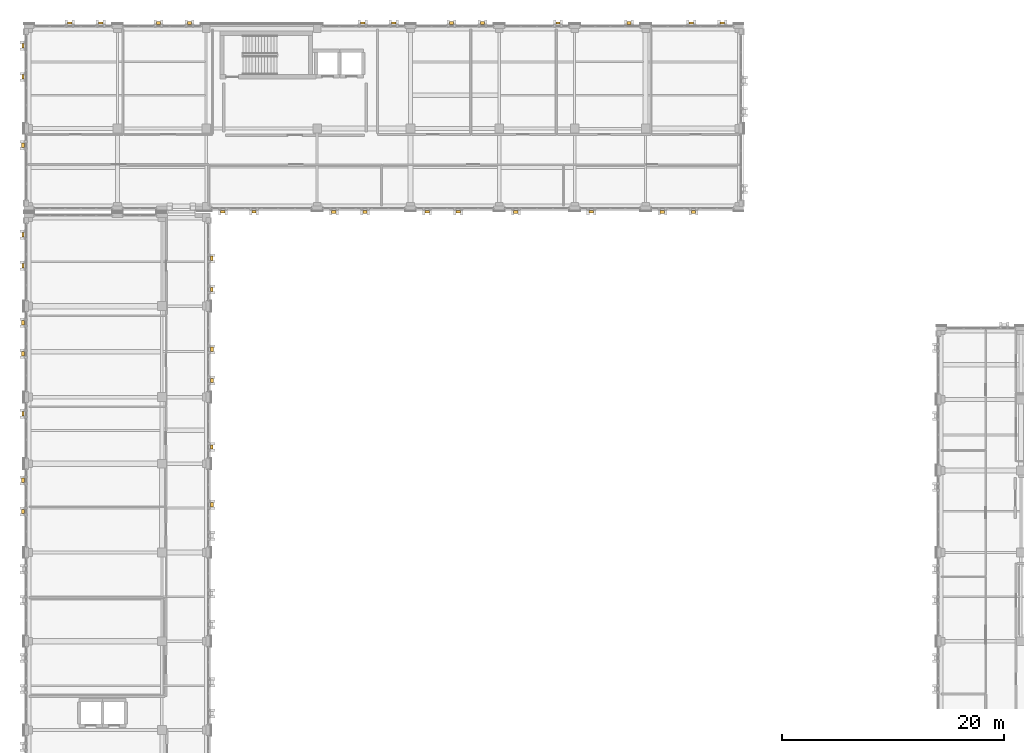
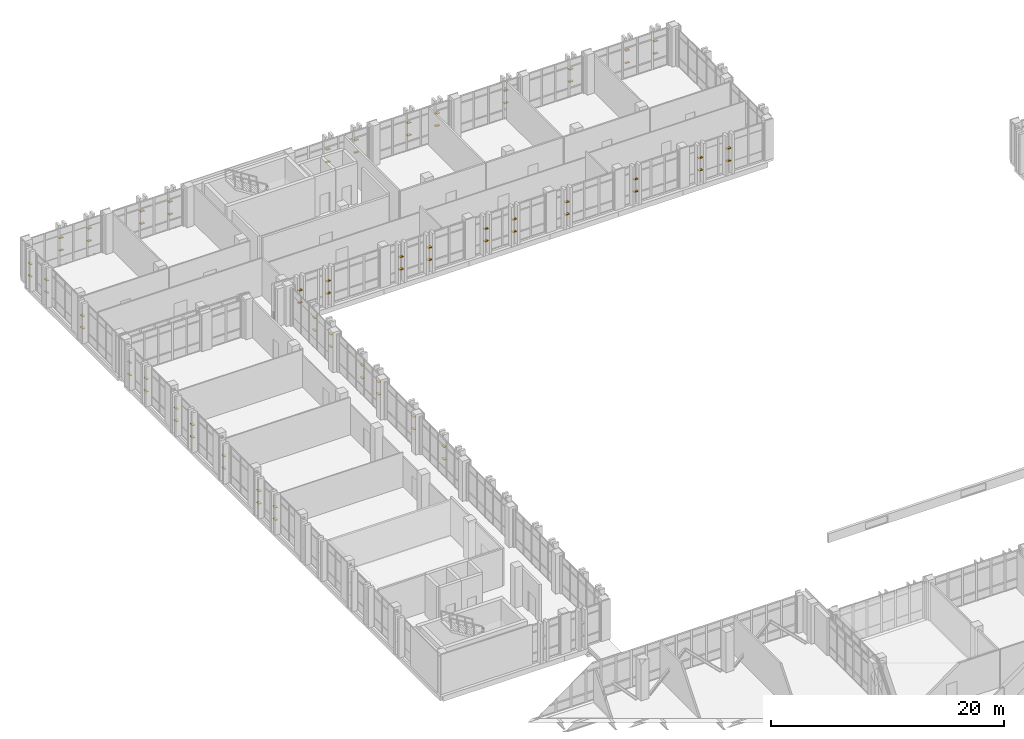
# One storey, part 157 of 158: 76 shading devices.
"""IFC4 building model written with IfcOpenShell, lengths in metres."""

from ifc_helpers import new_model, si_unit, direction, frame, origin, origin_2d, place, context, subcontext, project, spatial, rectangle, extrude, material, type_object, element, save


model = new_model("IFC4")

# Units and contexts
model_context = context("Model", 3, precision=1e-05, world=origin(), true_north=direction((0.0, 1.0)))
body_context = subcontext(model_context, "Body", "Model", "MODEL_VIEW")
ifc_project = project(units=[si_unit("LENGTHUNIT", "METRE"), si_unit("AREAUNIT", "SQUARE_METRE"), si_unit("VOLUMEUNIT", "CUBIC_METRE"), si_unit("PLANEANGLEUNIT", "RADIAN"), si_unit("MASSUNIT", "GRAM", prefix="KILO")], contexts=[model_context])

# Site, building, storey
site_placement = place(None, origin())
site = spatial("IfcSite", under=ifc_project, at=site_placement, CompositionType="ELEMENT")
building_placement = place(site_placement, origin())
building = spatial("IfcBuilding", under=site, at=building_placement, Name="Qalavern Law Courts", CompositionType="ELEMENT")
storey_placement = place(building_placement, frame((0.0, 0.0, 18.60009765625)))
storey = spatial("IfcBuildingStorey", under=building, at=storey_placement, Name="L04", CompositionType="ELEMENT", Elevation=18.60009765625)

# Shading devices
ifc_material = material(Name="Anodised aluminium", Category="aluminium")
shading_device_type_1 = type_object("IfcShadingDeviceType", Name="ENV-LOUV-1", PredefinedType="JALOUSIE", material=ifc_material)
for number, where, z_axis, x_axis, name in (
    (1, (18.909912109375, 74.89990234375, 1.343505859375), (0.0, 0.0, 1.0), (0.0, 1.0, 0.0), "Horizontal sun louvre V3-L04-0-1"),
    (2, (18.909912109375, 74.89990234375, 2.638916015625), (0.0, 0.0, 1.0), (0.0, 1.0, 0.0), "Horizontal sun louvre V3-L04-0-2"),
    (3, (18.909912109375, 89.10009765625, 1.343505859375), (0.0, 0.0, 1.0), (0.0, 1.0, 0.0), "Horizontal sun louvre V3-L04-0-1"),
    (4, (18.909912109375, 89.10009765625, 2.638916015625), (0.0, 0.0, 1.0), (0.0, 1.0, 0.0), "Horizontal sun louvre V3-L04-0-2"),
    (5, (18.909912109375, 91.89990234375, 1.343505859375), (0.0, 0.0, 1.0), (0.0, 1.0, 0.0), "Horizontal sun louvre V3-L04-1-1"),
    (6, (18.909912109375, 91.89990234375, 2.638916015625), (0.0, 0.0, 1.0), (0.0, 1.0, 0.0), "Horizontal sun louvre V3-L04-1-2"),
    (7, (1.889892578125, 94.034912109375, 1.343505859375), (0.0, 0.0, 1.0), (0.0, -1.0, 0.0), "Horizontal sun louvre V3-L04-0-1"),
    (8, (1.889892578125, 94.034912109375, 2.638916015625), (0.0, 0.0, 1.0), (0.0, -1.0, 0.0), "Horizontal sun louvre V3-L04-0-2"),
    (9, (1.889892578125, 91.235107421875, 1.343505859375), (0.0, 0.0, 1.0), (0.0, -1.0, 0.0), "Horizontal sun louvre V3-L04-1-1"),
    (10, (1.889892578125, 91.235107421875, 2.638916015625), (0.0, 0.0, 1.0), (0.0, -1.0, 0.0), "Horizontal sun louvre V3-L04-1-2"),
    (11, (1.889892578125, 77.89990234375, 1.343505859375), (0.0, 0.0, 1.0), (0.0, -1.0, 0.0), "Horizontal sun louvre V3-L04-0-1"),
    (12, (1.889892578125, 77.89990234375, 2.638916015625), (0.0, 0.0, 1.0), (0.0, -1.0, 0.0), "Horizontal sun louvre V3-L04-0-2"),
    (13, (19.89990234375, 96.090087890625, 1.343505859375), (0.0, 0.0, 1.0), (1.0, 0.0, 0.0), "Horizontal sun louvre V5-L04-0-1"),
    (14, (19.89990234375, 96.090087890625, 2.638916015625), (0.0, 0.0, 1.0), (1.0, 0.0, 0.0), "Horizontal sun louvre V5-L04-0-2"),
    (15, (22.699951171875, 96.090087890625, 1.343505859375), (0.0, 0.0, 1.0), (1.0, 0.0, 0.0), "Horizontal sun louvre V5-L04-1-1"),
    (16, (22.699951171875, 96.090087890625, 2.638916015625), (0.0, 0.0, 1.0), (1.0, 0.0, 0.0), "Horizontal sun louvre V5-L04-1-2"),
    (17, (38.300048828125, 96.090087890625, 1.343505859375), (0.0, 0.0, 1.0), (1.0, 0.0, 0.0), "Horizontal sun louvre V5-L04-0-1"),
    (18, (38.300048828125, 96.090087890625, 2.638916015625), (0.0, 0.0, 1.0), (1.0, 0.0, 0.0), "Horizontal sun louvre V5-L04-0-2"),
    (19, (41.10009765625, 96.090087890625, 1.343505859375), (0.0, 0.0, 1.0), (1.0, 0.0, 0.0), "Horizontal sun louvre V5-L04-1-1"),
    (20, (41.10009765625, 96.090087890625, 2.638916015625), (0.0, 0.0, 1.0), (1.0, 0.0, 0.0), "Horizontal sun louvre V5-L04-1-2"),
    (21, (53.10009765625, 96.090087890625, 1.343505859375), (0.0, 0.0, 1.0), (1.0, 0.0, 0.0), "Horizontal sun louvre V5-L04-0-1"),
    (22, (53.10009765625, 96.090087890625, 2.638916015625), (0.0, 0.0, 1.0), (1.0, 0.0, 0.0), "Horizontal sun louvre V5-L04-0-2"),
    (23, (64.89990234375, 113.110107421875, 1.343505859375), (0.0, 0.0, 1.0), (-1.0, 0.0, 0.0), "Horizontal sun louvre V5-L04-0-1"),
    (24, (64.89990234375, 113.110107421875, 2.638916015625), (0.0, 0.0, 1.0), (-1.0, 0.0, 0.0), "Horizontal sun louvre V5-L04-0-2"),
    (25, (62.10009765625, 113.110107421875, 1.343505859375), (0.0, 0.0, 1.0), (-1.0, 0.0, 0.0), "Horizontal sun louvre V5-L04-1-1"),
    (26, (62.10009765625, 113.110107421875, 2.638916015625), (0.0, 0.0, 1.0), (-1.0, 0.0, 0.0), "Horizontal sun louvre V5-L04-1-2"),
    (27, (50.10009765625, 113.110107421875, 1.343505859375), (0.0, 0.0, 1.0), (-1.0, 0.0, 0.0), "Horizontal sun louvre V5-L04-0-1"),
    (28, (50.10009765625, 113.110107421875, 2.638916015625), (0.0, 0.0, 1.0), (-1.0, 0.0, 0.0), "Horizontal sun louvre V5-L04-0-2"),
    (29, (35.300048828125, 113.110107421875, 1.343505859375), (0.0, 0.0, 1.0), (-1.0, 0.0, 0.0), "Horizontal sun louvre V5-L04-0-1"),
    (30, (35.300048828125, 113.110107421875, 2.638916015625), (0.0, 0.0, 1.0), (-1.0, 0.0, 0.0), "Horizontal sun louvre V5-L04-0-2"),
    (31, (32.5, 113.110107421875, 1.343505859375), (0.0, 0.0, 1.0), (-1.0, 0.0, 0.0), "Horizontal sun louvre V5-L04-1-1"),
    (32, (32.5, 113.110107421875, 2.638916015625), (0.0, 0.0, 1.0), (-1.0, 0.0, 0.0), "Horizontal sun louvre V5-L04-1-2"),
    (33, (8.89990234375, 113.110107421875, 1.343505859375), (0.0, 0.0, 1.0), (-1.0, 0.0, 0.0), "Horizontal sun louvre V5-L04-0-1"),
    (34, (8.89990234375, 113.110107421875, 2.638916015625), (0.0, 0.0, 1.0), (-1.0, 0.0, 0.0), "Horizontal sun louvre V5-L04-0-2"),
    (35, (6.10009765625, 113.110107421875, 1.343505859375), (0.0, 0.0, 1.0), (-1.0, 0.0, 0.0), "Horizontal sun louvre V5-L04-1-1"),
    (36, (6.10009765625, 113.110107421875, 2.638916015625), (0.0, 0.0, 1.0), (-1.0, 0.0, 0.0), "Horizontal sun louvre V5-L04-1-2"),
    (37, (1.889892578125, 111.054931640625, 1.343505859375), (0.0, 0.0, 1.0), (0.0, -1.0, 0.0), "Horizontal sun louvre V5-L04-0-1"),
    (38, (1.889892578125, 111.054931640625, 2.638916015625), (0.0, 0.0, 1.0), (0.0, -1.0, 0.0), "Horizontal sun louvre V5-L04-0-2"),
    (39, (1.889892578125, 108.2548828125, 1.343505859375), (0.0, 0.0, 1.0), (0.0, -1.0, 0.0), "Horizontal sun louvre V5-L04-1-1"),
    (40, (1.889892578125, 108.2548828125, 2.638916015625), (0.0, 0.0, 1.0), (0.0, -1.0, 0.0), "Horizontal sun louvre V5-L04-1-2"),
):
    element("IfcShadingDevice", number, at=place(storey_placement, frame(where, z_axis=z_axis, x_axis=x_axis)), inside=storey, type_object=shading_device_type_1, Name=name, PredefinedType="JALOUSIE", context=body_context, shape_type="SweptSolid", body=[
        extrude(rectangle(XDim=0.389892578125, YDim=0.2099609375, at=origin_2d()), origin(), (0.0, 0.0, 1.0), 0.06005859375),
    ])
shading_device_type_2 = type_object("IfcShadingDeviceType", Name="ENV-LOUV-2", PredefinedType="JALOUSIE", material=ifc_material)
for number, where, z_axis, x_axis, name in (
    (41, (18.909912109375, 69.699951171875, 1.343505859375), (0.0, 0.0, 1.0), (0.0, 1.0, 0.0), "Horizontal sun louvre V3-L04-1-1"),
    (42, (18.909912109375, 69.699951171875, 2.638916015625), (0.0, 0.0, 1.0), (0.0, 1.0, 0.0), "Horizontal sun louvre V3-L04-1-2"),
    (43, (18.909912109375, 80.89990234375, 1.343505859375), (0.0, 0.0, 1.0), (0.0, 1.0, 0.0), "Horizontal sun louvre V3-L04-0-1"),
    (44, (18.909912109375, 80.89990234375, 2.638916015625), (0.0, 0.0, 1.0), (0.0, 1.0, 0.0), "Horizontal sun louvre V3-L04-0-2"),
    (45, (18.909912109375, 83.699951171875, 1.343505859375), (0.0, 0.0, 1.0), (0.0, 1.0, 0.0), "Horizontal sun louvre V3-L04-1-1"),
    (46, (18.909912109375, 83.699951171875, 2.638916015625), (0.0, 0.0, 1.0), (0.0, 1.0, 0.0), "Horizontal sun louvre V3-L04-1-2"),
    (47, (1.889892578125, 86.10009765625, 1.343505859375), (0.0, 0.0, 1.0), (0.0, -1.0, 0.0), "Horizontal sun louvre V3-L04-0-1"),
    (48, (1.889892578125, 86.10009765625, 2.638916015625), (0.0, 0.0, 1.0), (0.0, -1.0, 0.0), "Horizontal sun louvre V3-L04-0-2"),
    (49, (1.889892578125, 83.300048828125, 1.343505859375), (0.0, 0.0, 1.0), (0.0, -1.0, 0.0), "Horizontal sun louvre V3-L04-1-1"),
    (50, (1.889892578125, 83.300048828125, 2.638916015625), (0.0, 0.0, 1.0), (0.0, -1.0, 0.0), "Horizontal sun louvre V3-L04-1-2"),
    (51, (1.889892578125, 71.89990234375, 1.343505859375), (0.0, 0.0, 1.0), (0.0, -1.0, 0.0), "Horizontal sun louvre V3-L04-0-1"),
    (52, (1.889892578125, 71.89990234375, 2.638916015625), (0.0, 0.0, 1.0), (0.0, -1.0, 0.0), "Horizontal sun louvre V3-L04-0-2"),
    (53, (1.889892578125, 69.10009765625, 1.343505859375), (0.0, 0.0, 1.0), (0.0, -1.0, 0.0), "Horizontal sun louvre V3-L04-1-1"),
    (54, (1.889892578125, 69.10009765625, 2.638916015625), (0.0, 0.0, 1.0), (0.0, -1.0, 0.0), "Horizontal sun louvre V3-L04-1-2"),
    (55, (29.89990234375, 96.090087890625, 1.343505859375), (0.0, 0.0, 1.0), (1.0, 0.0, 0.0), "Horizontal sun louvre V5-L04-0-1"),
    (56, (29.89990234375, 96.090087890625, 2.638916015625), (0.0, 0.0, 1.0), (1.0, 0.0, 0.0), "Horizontal sun louvre V5-L04-0-2"),
    (57, (32.699951171875, 96.090087890625, 1.343505859375), (0.0, 0.0, 1.0), (1.0, 0.0, 0.0), "Horizontal sun louvre V5-L04-1-1"),
    (58, (32.699951171875, 96.090087890625, 2.638916015625), (0.0, 0.0, 1.0), (1.0, 0.0, 0.0), "Horizontal sun louvre V5-L04-1-2"),
    (59, (46.300048828125, 96.090087890625, 1.343505859375), (0.0, 0.0, 1.0), (1.0, 0.0, 0.0), "Horizontal sun louvre V5-L04-0-1"),
    (60, (46.300048828125, 96.090087890625, 2.638916015625), (0.0, 0.0, 1.0), (1.0, 0.0, 0.0), "Horizontal sun louvre V5-L04-0-2"),
    (61, (59.5, 96.090087890625, 1.343505859375), (0.0, 0.0, 1.0), (1.0, 0.0, 0.0), "Horizontal sun louvre V5-L04-0-1"),
    (62, (59.5, 96.090087890625, 2.638916015625), (0.0, 0.0, 1.0), (1.0, 0.0, 0.0), "Horizontal sun louvre V5-L04-0-2"),
    (63, (62.300048828125, 96.090087890625, 1.343505859375), (0.0, 0.0, 1.0), (1.0, 0.0, 0.0), "Horizontal sun louvre V5-L04-1-1"),
    (64, (62.300048828125, 96.090087890625, 2.638916015625), (0.0, 0.0, 1.0), (1.0, 0.0, 0.0), "Horizontal sun louvre V5-L04-1-2"),
    (65, (56.5, 113.110107421875, 1.343505859375), (0.0, 0.0, 1.0), (-1.0, 0.0, 0.0), "Horizontal sun louvre V5-L04-0-1"),
    (66, (56.5, 113.110107421875, 2.638916015625), (0.0, 0.0, 1.0), (-1.0, 0.0, 0.0), "Horizontal sun louvre V5-L04-0-2"),
    (67, (43.300048828125, 113.110107421875, 1.343505859375), (0.0, 0.0, 1.0), (-1.0, 0.0, 0.0), "Horizontal sun louvre V5-L04-0-1"),
    (68, (43.300048828125, 113.110107421875, 2.638916015625), (0.0, 0.0, 1.0), (-1.0, 0.0, 0.0), "Horizontal sun louvre V5-L04-0-2"),
    (69, (40.5, 113.110107421875, 1.343505859375), (0.0, 0.0, 1.0), (-1.0, 0.0, 0.0), "Horizontal sun louvre V5-L04-1-1"),
    (70, (40.5, 113.110107421875, 2.638916015625), (0.0, 0.0, 1.0), (-1.0, 0.0, 0.0), "Horizontal sun louvre V5-L04-1-2"),
    (71, (16.89990234375, 113.110107421875, 1.343505859375), (0.0, 0.0, 1.0), (-1.0, 0.0, 0.0), "Horizontal sun louvre V5-L04-0-1"),
    (72, (16.89990234375, 113.110107421875, 2.638916015625), (0.0, 0.0, 1.0), (-1.0, 0.0, 0.0), "Horizontal sun louvre V5-L04-0-2"),
    (73, (14.10009765625, 113.110107421875, 1.343505859375), (0.0, 0.0, 1.0), (-1.0, 0.0, 0.0), "Horizontal sun louvre V5-L04-1-1"),
    (74, (14.10009765625, 113.110107421875, 2.638916015625), (0.0, 0.0, 1.0), (-1.0, 0.0, 0.0), "Horizontal sun louvre V5-L04-1-2"),
    (75, (1.889892578125, 102.10009765625, 1.343505859375), (0.0, 0.0, 1.0), (0.0, -1.0, 0.0), "Horizontal sun louvre V5-L04-0-1"),
    (76, (1.889892578125, 102.10009765625, 2.638916015625), (0.0, 0.0, 1.0), (0.0, -1.0, 0.0), "Horizontal sun louvre V5-L04-0-2"),
):
    element("IfcShadingDevice", number, at=place(storey_placement, frame(where, z_axis=z_axis, x_axis=x_axis)), inside=storey, type_object=shading_device_type_2, Name=name, PredefinedType="JALOUSIE", context=body_context, shape_type="SweptSolid", body=[
        extrude(rectangle(XDim=0.389892578125, YDim=0.25, at=origin_2d()), origin(), (0.0, 0.0, 1.0), 0.06005859375),
    ])

save(model, "model.ifc")
